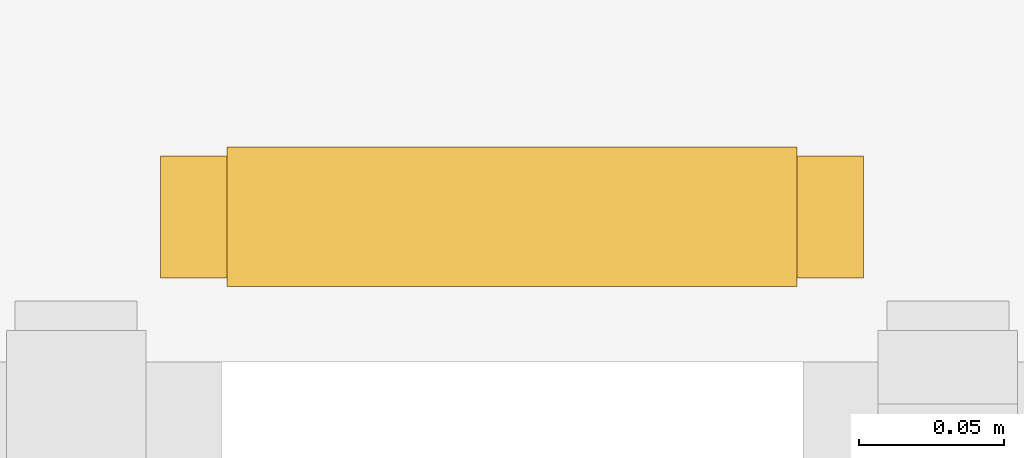
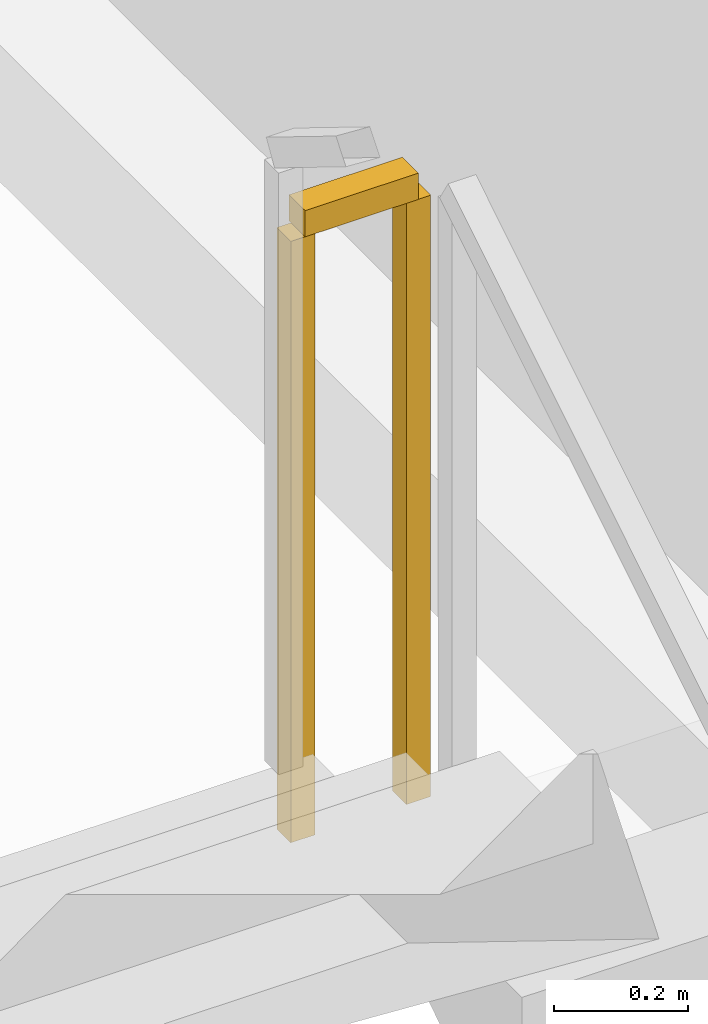
# One storey, part 29 of 29: 1 railing.
"""IFC4 building model written with IfcOpenShell, lengths in metres."""

from ifc_helpers import new_model, si_unit, direction, frame, origin, origin_2d, place, context, subcontext, project, spatial, rectangle, extrude, material, type_object, element, save


model = new_model("IFC4")

# Units and contexts
model_context = context("Model", 3, precision=1e-05, world=origin(), true_north=direction((0.0, 1.0)))
body_context = subcontext(model_context, "Body", "Model", "MODEL_VIEW")
ifc_project = project(units=[si_unit("LENGTHUNIT", "METRE"), si_unit("AREAUNIT", "SQUARE_METRE"), si_unit("VOLUMEUNIT", "CUBIC_METRE"), si_unit("PLANEANGLEUNIT", "RADIAN"), si_unit("MASSUNIT", "GRAM", prefix="KILO")], contexts=[model_context])

# Site, building, storey
site_placement = place(None, origin())
site = spatial("IfcSite", under=ifc_project, at=site_placement, CompositionType="ELEMENT")
building_placement = place(site_placement, origin())
building = spatial("IfcBuilding", under=site, at=building_placement, Name="Zuhravey Tower", CompositionType="ELEMENT")
storey_placement = place(building_placement, frame((0.0, 0.0, 246.39990234375)))
storey = spatial("IfcBuildingStorey", under=building, at=storey_placement, Name="L62", CompositionType="ELEMENT", Elevation=246.39990234375)

# Railing
ifc_material = material(Name="Painted tubular steel", Category="steel")
railing_type = type_object("IfcRailingType", Name="Stair Well Guardrail 1150", PredefinedType="GUARDRAIL", material=ifc_material)
railing_placement = place(storey_placement, frame((44.199951171875, 36.050048828125, 1.900146484375)))
element("IfcRailing", 1, at=railing_placement, inside=storey, type_object=railing_type, Name="L62 ST2 stair guard 2", PredefinedType="GUARDRAIL", context=body_context, shape_type="SweptSolid", body=[
    extrude(rectangle(XDim=0.048095703125, YDim=0.048095703125, at=origin_2d()), frame((-0.001953125, 0.0, 1.1259765625), z_axis=(-1.0, 0.0, 0.0), x_axis=(0.0, -1.0, 0.0)), (0.0, 0.0, 1.0), 0.196044921875),
    extrude(rectangle(XDim=0.0419921875, YDim=0.0419921875, at=origin_2d()), origin(), (0.0, 0.0, 1.0), 1.099853515625),
    extrude(rectangle(XDim=0.0419921875, YDim=0.0419921875, at=origin_2d()), frame((-0.199951171875, 0.0, 0.0)), (0.0, 0.0, 1.0), 1.099853515625),
])

save(model, "model.ifc")
